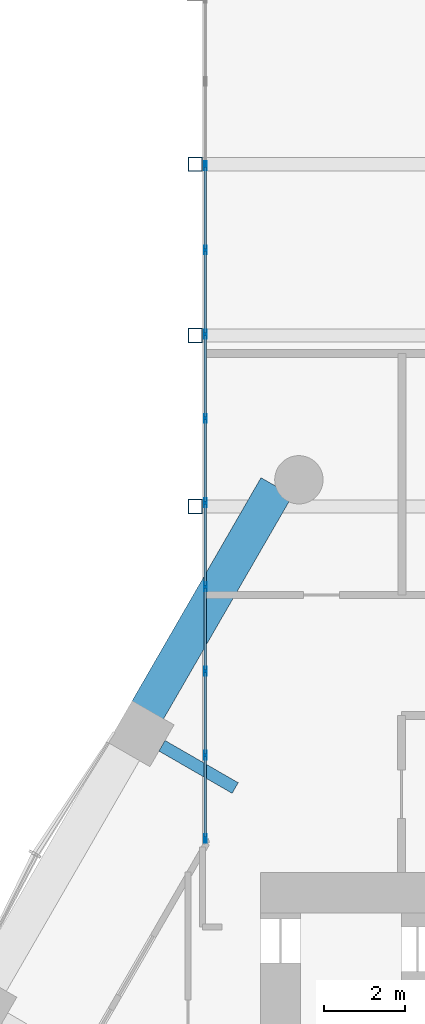
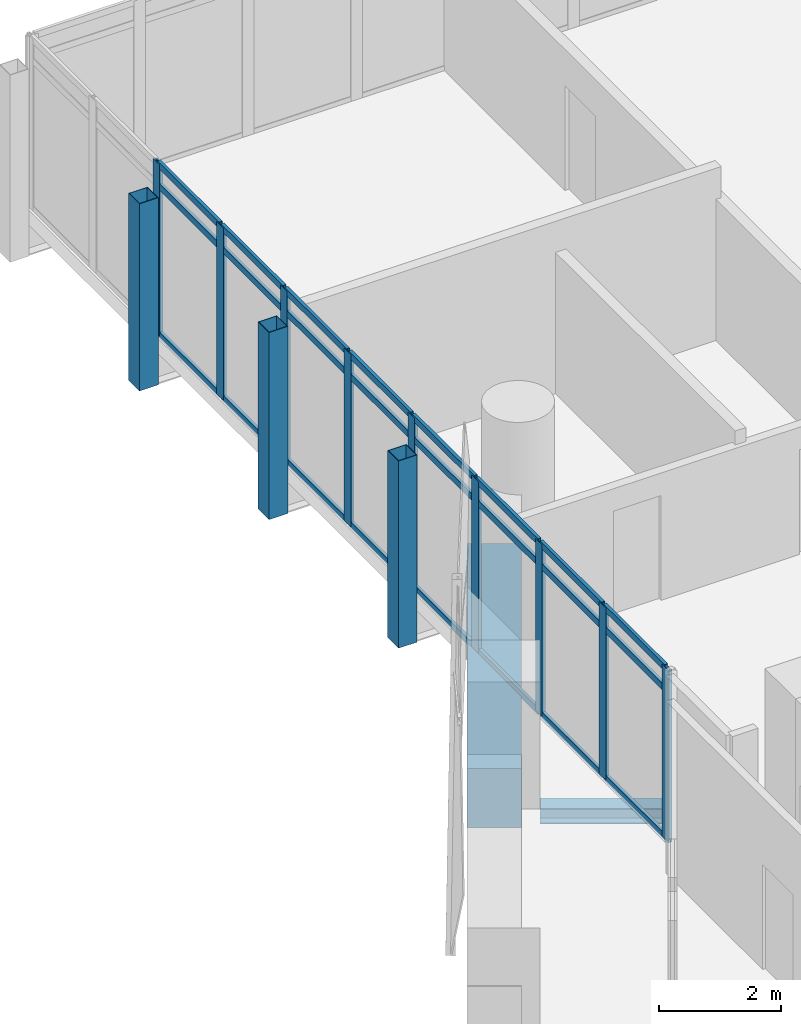
# One storey, part 17 of 38: 36 members, 2 beams, 1 element without a shape of its own.
"""IFC4 building model written with IfcOpenShell, lengths in metres."""

from ifc_helpers import new_model, si_unit, direction, frame, origin, origin_2d, place, context, subcontext, project, spatial, rectangle, hollow_rectangle, i_section, extrude, material, material_profile, profile_set, type_object, element, aggregate, save


model = new_model("IFC4")

# Units and contexts
model_context = context("Model", 3, precision=1e-05, world=origin(), true_north=direction((0.0, 1.0)))
body_context = subcontext(model_context, "Body", "Model", "MODEL_VIEW")
ifc_project = project(units=[si_unit("LENGTHUNIT", "METRE"), si_unit("AREAUNIT", "SQUARE_METRE"), si_unit("VOLUMEUNIT", "CUBIC_METRE"), si_unit("PLANEANGLEUNIT", "RADIAN"), si_unit("MASSUNIT", "GRAM", prefix="KILO")], contexts=[model_context])

# Site, building, storey
site_placement = place(None, origin())
site = spatial("IfcSite", under=ifc_project, at=site_placement, CompositionType="ELEMENT")
building_placement = place(site_placement, origin())
building = spatial("IfcBuilding", under=site, at=building_placement, Name="Ostrander Bayou Hotel Tower", CompositionType="ELEMENT")
storey_placement = place(building_placement, frame((0.0, 0.0, 96.75)))
storey = spatial("IfcBuildingStorey", under=building, at=storey_placement, Name="L24", CompositionType="ELEMENT", Elevation=96.75)

# Curtain wall, members
ifc_material_1 = material(Name="Aluminium and clear glass", Category="aluminium")
curtain_wall_type = type_object("IfcCurtainWallType", Name="CW-BAR glazed wall", PredefinedType="NOTDEFINED", material=ifc_material_1)
curtain_wall_placement = place(storey_placement, origin())
curtain_wall = element("IfcCurtainWall", 1, at=curtain_wall_placement, inside=storey, type_object=curtain_wall_type, Name="CW-BAR L24:SB2N:E", PredefinedType="NOTDEFINED")
ifc_material_2 = material(Name="Aluminium", Category="aluminium")
ifc_material_profile_1 = material_profile(ifc_material_2, hollow_rectangle(XDim=0.06005859375, YDim=0.219970703125, WallThickness=0.00390625, at=origin_2d()))
ifc_profile_set_1 = profile_set([ifc_material_profile_1], Name="Aluminium")
member_type_1 = type_object("IfcMemberType", Name="CW-BR mullion 60 x 220 mm", PredefinedType="MULLION", material=ifc_profile_set_1)
member_1_placement = place(storey_placement, frame((-13.3671875, 10.550048828125, 0.0), z_axis=(0.0, 0.0, 1.0), x_axis=(-1.0, 0.0, 0.0)))
member_1 = element("IfcMember", 2, at=member_1_placement, type_object=member_type_1, Name="CW-BAR mullion 1", PredefinedType="MULLION", context=body_context, shape_type="SweptSolid", body=[
    extrude(hollow_rectangle(XDim=0.06005859375, YDim=0.219970703125, WallThickness=0.00390625, at=origin_2d()), origin(), (0.0, 0.0, 1.0), 3.449951171875),
])
member_2_placement = place(storey_placement, frame((-13.3671875, 12.612548828125, 0.0), z_axis=(0.0, 0.0, 1.0), x_axis=(-1.0, 0.0, 0.0)))
member_2 = element("IfcMember", 3, at=member_2_placement, type_object=member_type_1, Name="CW-BAR mullion 2", PredefinedType="MULLION", context=body_context, shape_type="SweptSolid", body=[
    extrude(hollow_rectangle(XDim=0.06005859375, YDim=0.219970703125, WallThickness=0.00390625, at=origin_2d()), origin(), (0.0, 0.0, 1.0), 3.449951171875),
])
member_3_placement = place(storey_placement, frame((-13.3671875, 14.705078125, 0.0), z_axis=(0.0, 0.0, 1.0), x_axis=(-1.0, 0.0, 0.0)))
member_3 = element("IfcMember", 4, at=member_3_placement, type_object=member_type_1, Name="CW-BAR mullion 3", PredefinedType="MULLION", context=body_context, shape_type="SweptSolid", body=[
    extrude(hollow_rectangle(XDim=0.06005859375, YDim=0.219970703125, WallThickness=0.00390625, at=origin_2d()), origin(), (0.0, 0.0, 1.0), 3.449951171875),
])
member_4_placement = place(storey_placement, frame((-13.3671875, 16.797607421875, 0.0), z_axis=(0.0, 0.0, 1.0), x_axis=(-1.0, 0.0, 0.0)))
member_4 = element("IfcMember", 5, at=member_4_placement, type_object=member_type_1, Name="CW-BAR mullion 4", PredefinedType="MULLION", context=body_context, shape_type="SweptSolid", body=[
    extrude(hollow_rectangle(XDim=0.06005859375, YDim=0.219970703125, WallThickness=0.00390625, at=origin_2d()), origin(), (0.0, 0.0, 1.0), 3.449951171875),
])
member_5_placement = place(storey_placement, frame((-13.3671875, 18.89013671875, 0.0), z_axis=(0.0, 0.0, 1.0), x_axis=(-1.0, 0.0, 0.0)))
member_5 = element("IfcMember", 6, at=member_5_placement, type_object=member_type_1, Name="CW-BAR mullion 5", PredefinedType="MULLION", context=body_context, shape_type="SweptSolid", body=[
    extrude(hollow_rectangle(XDim=0.06005859375, YDim=0.219970703125, WallThickness=0.00390625, at=origin_2d()), origin(), (0.0, 0.0, 1.0), 3.449951171875),
])
member_6_placement = place(storey_placement, frame((-13.3671875, 20.982666015625, 0.0), z_axis=(0.0, 0.0, 1.0), x_axis=(-1.0, 0.0, 0.0)))
member_6 = element("IfcMember", 7, at=member_6_placement, type_object=member_type_1, Name="CW-BAR mullion 6", PredefinedType="MULLION", context=body_context, shape_type="SweptSolid", body=[
    extrude(hollow_rectangle(XDim=0.06005859375, YDim=0.219970703125, WallThickness=0.00390625, at=origin_2d()), origin(), (0.0, 0.0, 1.0), 3.449951171875),
])
member_7_placement = place(storey_placement, frame((-13.3671875, 23.0751953125, 0.0), z_axis=(0.0, 0.0, 1.0), x_axis=(-1.0, 0.0, 0.0)))
member_7 = element("IfcMember", 8, at=member_7_placement, type_object=member_type_1, Name="CW-BAR mullion 7", PredefinedType="MULLION", context=body_context, shape_type="SweptSolid", body=[
    extrude(hollow_rectangle(XDim=0.06005859375, YDim=0.219970703125, WallThickness=0.00390625, at=origin_2d()), origin(), (0.0, 0.0, 1.0), 3.449951171875),
])
member_8_placement = place(storey_placement, frame((-13.3671875, 25.167724609375, 0.0), z_axis=(0.0, 0.0, 1.0), x_axis=(-1.0, 0.0, 0.0)))
member_8 = element("IfcMember", 9, at=member_8_placement, type_object=member_type_1, Name="CW-BAR mullion 8", PredefinedType="MULLION", context=body_context, shape_type="SweptSolid", body=[
    extrude(hollow_rectangle(XDim=0.06005859375, YDim=0.219970703125, WallThickness=0.00390625, at=origin_2d()), origin(), (0.0, 0.0, 1.0), 3.449951171875),
])
member_9_placement = place(storey_placement, frame((-13.3671875, 27.26025390625, 0.0), z_axis=(0.0, 0.0, 1.0), x_axis=(-1.0, 0.0, 0.0)))
member_9 = element("IfcMember", 10, at=member_9_placement, type_object=member_type_1, Name="CW-BAR mullion 9", PredefinedType="MULLION", context=body_context, shape_type="SweptSolid", body=[
    extrude(hollow_rectangle(XDim=0.06005859375, YDim=0.219970703125, WallThickness=0.00390625, at=origin_2d()), origin(), (0.0, 0.0, 1.0), 3.449951171875),
])
ifc_material_3 = material(Name="Aluminium", Category="aluminium")
ifc_material_profile_2 = material_profile(ifc_material_3, hollow_rectangle(XDim=0.06005859375, YDim=0.1298828125, WallThickness=0.00390625, at=origin_2d()))
ifc_profile_set_2 = profile_set([ifc_material_profile_2], Name="Aluminium")
member_type_2 = type_object("IfcMemberType", Name="CW-BR transom 60 x 130 mm", PredefinedType="USERDEFINED", material=ifc_profile_set_2)
member_10_placement = place(storey_placement, frame((-13.3671875, 10.580078125, 0.030029296875), z_axis=(0.0, 1.0, 0.0), x_axis=(-1.0, 0.0, 0.0)))
member_10 = element("IfcMember", 11, at=member_10_placement, type_object=member_type_2, Name="CW-BAR transom 1.1", ObjectType="TRANSOM", PredefinedType="USERDEFINED", context=body_context, shape_type="SweptSolid", body=[
    extrude(hollow_rectangle(XDim=0.06005859375, YDim=0.1298828125, WallThickness=0.00390625, at=origin_2d()), origin(), (0.0, 0.0, 1.0), 2.00244140625),
])
member_11_placement = place(storey_placement, frame((-13.3671875, 10.580078125, 3.0), z_axis=(0.0, 1.0, 0.0), x_axis=(-1.0, 0.0, 0.0)))
member_11 = element("IfcMember", 12, at=member_11_placement, type_object=member_type_2, Name="CW-BAR transom 1.2", ObjectType="TRANSOM", PredefinedType="USERDEFINED", context=body_context, shape_type="SweptSolid", body=[
    extrude(hollow_rectangle(XDim=0.06005859375, YDim=0.1298828125, WallThickness=0.00390625, at=origin_2d()), origin(), (0.0, 0.0, 1.0), 2.00244140625),
])
member_12_placement = place(storey_placement, frame((-13.3671875, 10.580078125, 3.419921875), z_axis=(0.0, 1.0, 0.0), x_axis=(-1.0, 0.0, 0.0)))
member_12 = element("IfcMember", 13, at=member_12_placement, type_object=member_type_2, Name="CW-BAR transom 1.3", ObjectType="TRANSOM", PredefinedType="USERDEFINED", context=body_context, shape_type="SweptSolid", body=[
    extrude(hollow_rectangle(XDim=0.06005859375, YDim=0.1298828125, WallThickness=0.00390625, at=origin_2d()), origin(), (0.0, 0.0, 1.0), 2.00244140625),
])
member_13_placement = place(storey_placement, frame((-13.3671875, 12.642578125, 0.030029296875), z_axis=(0.0, 1.0, 0.0), x_axis=(-1.0, 0.0, 0.0)))
member_13 = element("IfcMember", 14, at=member_13_placement, type_object=member_type_2, Name="CW-BAR transom 2.1", ObjectType="TRANSOM", PredefinedType="USERDEFINED", context=body_context, shape_type="SweptSolid", body=[
    extrude(hollow_rectangle(XDim=0.06005859375, YDim=0.1298828125, WallThickness=0.00390625, at=origin_2d()), origin(), (0.0, 0.0, 1.0), 2.032470703125),
])
member_14_placement = place(storey_placement, frame((-13.3671875, 12.642578125, 3.0), z_axis=(0.0, 1.0, 0.0), x_axis=(-1.0, 0.0, 0.0)))
member_14 = element("IfcMember", 15, at=member_14_placement, type_object=member_type_2, Name="CW-BAR transom 2.2", ObjectType="TRANSOM", PredefinedType="USERDEFINED", context=body_context, shape_type="SweptSolid", body=[
    extrude(hollow_rectangle(XDim=0.06005859375, YDim=0.1298828125, WallThickness=0.00390625, at=origin_2d()), origin(), (0.0, 0.0, 1.0), 2.032470703125),
])
member_15_placement = place(storey_placement, frame((-13.3671875, 12.642578125, 3.419921875), z_axis=(0.0, 1.0, 0.0), x_axis=(-1.0, 0.0, 0.0)))
member_15 = element("IfcMember", 16, at=member_15_placement, type_object=member_type_2, Name="CW-BAR transom 2.3", ObjectType="TRANSOM", PredefinedType="USERDEFINED", context=body_context, shape_type="SweptSolid", body=[
    extrude(hollow_rectangle(XDim=0.06005859375, YDim=0.1298828125, WallThickness=0.00390625, at=origin_2d()), origin(), (0.0, 0.0, 1.0), 2.032470703125),
])
member_16_placement = place(storey_placement, frame((-13.3671875, 14.735107421875, 0.030029296875), z_axis=(0.0, 1.0, 0.0), x_axis=(-1.0, 0.0, 0.0)))
member_16 = element("IfcMember", 17, at=member_16_placement, type_object=member_type_2, Name="CW-BAR transom 3.1", ObjectType="TRANSOM", PredefinedType="USERDEFINED", context=body_context, shape_type="SweptSolid", body=[
    extrude(hollow_rectangle(XDim=0.06005859375, YDim=0.1298828125, WallThickness=0.00390625, at=origin_2d()), origin(), (0.0, 0.0, 1.0), 2.032470703125),
])
member_17_placement = place(storey_placement, frame((-13.3671875, 14.735107421875, 3.0), z_axis=(0.0, 1.0, 0.0), x_axis=(-1.0, 0.0, 0.0)))
member_17 = element("IfcMember", 18, at=member_17_placement, type_object=member_type_2, Name="CW-BAR transom 3.2", ObjectType="TRANSOM", PredefinedType="USERDEFINED", context=body_context, shape_type="SweptSolid", body=[
    extrude(hollow_rectangle(XDim=0.06005859375, YDim=0.1298828125, WallThickness=0.00390625, at=origin_2d()), origin(), (0.0, 0.0, 1.0), 2.032470703125),
])
member_18_placement = place(storey_placement, frame((-13.3671875, 14.735107421875, 3.419921875), z_axis=(0.0, 1.0, 0.0), x_axis=(-1.0, 0.0, 0.0)))
member_18 = element("IfcMember", 19, at=member_18_placement, type_object=member_type_2, Name="CW-BAR transom 3.3", ObjectType="TRANSOM", PredefinedType="USERDEFINED", context=body_context, shape_type="SweptSolid", body=[
    extrude(hollow_rectangle(XDim=0.06005859375, YDim=0.1298828125, WallThickness=0.00390625, at=origin_2d()), origin(), (0.0, 0.0, 1.0), 2.032470703125),
])
member_19_placement = place(storey_placement, frame((-13.3671875, 16.82763671875, 0.030029296875), z_axis=(0.0, 1.0, 0.0), x_axis=(-1.0, 0.0, 0.0)))
member_19 = element("IfcMember", 20, at=member_19_placement, type_object=member_type_2, Name="CW-BAR transom 4.1", ObjectType="TRANSOM", PredefinedType="USERDEFINED", context=body_context, shape_type="SweptSolid", body=[
    extrude(hollow_rectangle(XDim=0.06005859375, YDim=0.1298828125, WallThickness=0.00390625, at=origin_2d()), origin(), (0.0, 0.0, 1.0), 2.032470703125),
])
member_20_placement = place(storey_placement, frame((-13.3671875, 16.82763671875, 3.0), z_axis=(0.0, 1.0, 0.0), x_axis=(-1.0, 0.0, 0.0)))
member_20 = element("IfcMember", 21, at=member_20_placement, type_object=member_type_2, Name="CW-BAR transom 4.2", ObjectType="TRANSOM", PredefinedType="USERDEFINED", context=body_context, shape_type="SweptSolid", body=[
    extrude(hollow_rectangle(XDim=0.06005859375, YDim=0.1298828125, WallThickness=0.00390625, at=origin_2d()), origin(), (0.0, 0.0, 1.0), 2.032470703125),
])
member_21_placement = place(storey_placement, frame((-13.3671875, 16.82763671875, 3.419921875), z_axis=(0.0, 1.0, 0.0), x_axis=(-1.0, 0.0, 0.0)))
member_21 = element("IfcMember", 22, at=member_21_placement, type_object=member_type_2, Name="CW-BAR transom 4.3", ObjectType="TRANSOM", PredefinedType="USERDEFINED", context=body_context, shape_type="SweptSolid", body=[
    extrude(hollow_rectangle(XDim=0.06005859375, YDim=0.1298828125, WallThickness=0.00390625, at=origin_2d()), origin(), (0.0, 0.0, 1.0), 2.032470703125),
])
member_22_placement = place(storey_placement, frame((-13.3671875, 18.920166015625, 0.030029296875), z_axis=(0.0, 1.0, 0.0), x_axis=(-1.0, 0.0, 0.0)))
member_22 = element("IfcMember", 23, at=member_22_placement, type_object=member_type_2, Name="CW-BAR transom 5.1", ObjectType="TRANSOM", PredefinedType="USERDEFINED", context=body_context, shape_type="SweptSolid", body=[
    extrude(hollow_rectangle(XDim=0.06005859375, YDim=0.1298828125, WallThickness=0.00390625, at=origin_2d()), origin(), (0.0, 0.0, 1.0), 2.032470703125),
])
member_23_placement = place(storey_placement, frame((-13.3671875, 18.920166015625, 3.0), z_axis=(0.0, 1.0, 0.0), x_axis=(-1.0, 0.0, 0.0)))
member_23 = element("IfcMember", 24, at=member_23_placement, type_object=member_type_2, Name="CW-BAR transom 5.2", ObjectType="TRANSOM", PredefinedType="USERDEFINED", context=body_context, shape_type="SweptSolid", body=[
    extrude(hollow_rectangle(XDim=0.06005859375, YDim=0.1298828125, WallThickness=0.00390625, at=origin_2d()), origin(), (0.0, 0.0, 1.0), 2.032470703125),
])
member_24_placement = place(storey_placement, frame((-13.3671875, 18.920166015625, 3.419921875), z_axis=(0.0, 1.0, 0.0), x_axis=(-1.0, 0.0, 0.0)))
member_24 = element("IfcMember", 25, at=member_24_placement, type_object=member_type_2, Name="CW-BAR transom 5.3", ObjectType="TRANSOM", PredefinedType="USERDEFINED", context=body_context, shape_type="SweptSolid", body=[
    extrude(hollow_rectangle(XDim=0.06005859375, YDim=0.1298828125, WallThickness=0.00390625, at=origin_2d()), origin(), (0.0, 0.0, 1.0), 2.032470703125),
])
member_25_placement = place(storey_placement, frame((-13.3671875, 21.0126953125, 0.030029296875), z_axis=(0.0, 1.0, 0.0), x_axis=(-1.0, 0.0, 0.0)))
member_25 = element("IfcMember", 26, at=member_25_placement, type_object=member_type_2, Name="CW-BAR transom 6.1", ObjectType="TRANSOM", PredefinedType="USERDEFINED", context=body_context, shape_type="SweptSolid", body=[
    extrude(hollow_rectangle(XDim=0.06005859375, YDim=0.1298828125, WallThickness=0.00390625, at=origin_2d()), origin(), (0.0, 0.0, 1.0), 2.032470703125),
])
member_26_placement = place(storey_placement, frame((-13.3671875, 21.0126953125, 3.0), z_axis=(0.0, 1.0, 0.0), x_axis=(-1.0, 0.0, 0.0)))
member_26 = element("IfcMember", 27, at=member_26_placement, type_object=member_type_2, Name="CW-BAR transom 6.2", ObjectType="TRANSOM", PredefinedType="USERDEFINED", context=body_context, shape_type="SweptSolid", body=[
    extrude(hollow_rectangle(XDim=0.06005859375, YDim=0.1298828125, WallThickness=0.00390625, at=origin_2d()), origin(), (0.0, 0.0, 1.0), 2.032470703125),
])
member_27_placement = place(storey_placement, frame((-13.3671875, 21.0126953125, 3.419921875), z_axis=(0.0, 1.0, 0.0), x_axis=(-1.0, 0.0, 0.0)))
member_27 = element("IfcMember", 28, at=member_27_placement, type_object=member_type_2, Name="CW-BAR transom 6.3", ObjectType="TRANSOM", PredefinedType="USERDEFINED", context=body_context, shape_type="SweptSolid", body=[
    extrude(hollow_rectangle(XDim=0.06005859375, YDim=0.1298828125, WallThickness=0.00390625, at=origin_2d()), origin(), (0.0, 0.0, 1.0), 2.032470703125),
])
member_28_placement = place(storey_placement, frame((-13.3671875, 23.105224609375, 0.030029296875), z_axis=(0.0, 1.0, 0.0), x_axis=(-1.0, 0.0, 0.0)))
member_28 = element("IfcMember", 29, at=member_28_placement, type_object=member_type_2, Name="CW-BAR transom 7.1", ObjectType="TRANSOM", PredefinedType="USERDEFINED", context=body_context, shape_type="SweptSolid", body=[
    extrude(hollow_rectangle(XDim=0.06005859375, YDim=0.1298828125, WallThickness=0.00390625, at=origin_2d()), origin(), (0.0, 0.0, 1.0), 2.032470703125),
])
member_29_placement = place(storey_placement, frame((-13.3671875, 23.105224609375, 3.0), z_axis=(0.0, 1.0, 0.0), x_axis=(-1.0, 0.0, 0.0)))
member_29 = element("IfcMember", 30, at=member_29_placement, type_object=member_type_2, Name="CW-BAR transom 7.2", ObjectType="TRANSOM", PredefinedType="USERDEFINED", context=body_context, shape_type="SweptSolid", body=[
    extrude(hollow_rectangle(XDim=0.06005859375, YDim=0.1298828125, WallThickness=0.00390625, at=origin_2d()), origin(), (0.0, 0.0, 1.0), 2.032470703125),
])
member_30_placement = place(storey_placement, frame((-13.3671875, 23.105224609375, 3.419921875), z_axis=(0.0, 1.0, 0.0), x_axis=(-1.0, 0.0, 0.0)))
member_30 = element("IfcMember", 31, at=member_30_placement, type_object=member_type_2, Name="CW-BAR transom 7.3", ObjectType="TRANSOM", PredefinedType="USERDEFINED", context=body_context, shape_type="SweptSolid", body=[
    extrude(hollow_rectangle(XDim=0.06005859375, YDim=0.1298828125, WallThickness=0.00390625, at=origin_2d()), origin(), (0.0, 0.0, 1.0), 2.032470703125),
])
member_31_placement = place(storey_placement, frame((-13.3671875, 25.19775390625, 0.030029296875), z_axis=(0.0, 1.0, 0.0), x_axis=(-1.0, 0.0, 0.0)))
member_31 = element("IfcMember", 32, at=member_31_placement, type_object=member_type_2, Name="CW-BAR transom 8.1", ObjectType="TRANSOM", PredefinedType="USERDEFINED", context=body_context, shape_type="SweptSolid", body=[
    extrude(hollow_rectangle(XDim=0.06005859375, YDim=0.1298828125, WallThickness=0.00390625, at=origin_2d()), origin(), (0.0, 0.0, 1.0), 2.032470703125),
])
member_32_placement = place(storey_placement, frame((-13.3671875, 25.19775390625, 3.0), z_axis=(0.0, 1.0, 0.0), x_axis=(-1.0, 0.0, 0.0)))
member_32 = element("IfcMember", 33, at=member_32_placement, type_object=member_type_2, Name="CW-BAR transom 8.2", ObjectType="TRANSOM", PredefinedType="USERDEFINED", context=body_context, shape_type="SweptSolid", body=[
    extrude(hollow_rectangle(XDim=0.06005859375, YDim=0.1298828125, WallThickness=0.00390625, at=origin_2d()), origin(), (0.0, 0.0, 1.0), 2.032470703125),
])
member_33_placement = place(storey_placement, frame((-13.3671875, 25.19775390625, 3.419921875), z_axis=(0.0, 1.0, 0.0), x_axis=(-1.0, 0.0, 0.0)))
member_33 = element("IfcMember", 34, at=member_33_placement, type_object=member_type_2, Name="CW-BAR transom 8.3", ObjectType="TRANSOM", PredefinedType="USERDEFINED", context=body_context, shape_type="SweptSolid", body=[
    extrude(hollow_rectangle(XDim=0.06005859375, YDim=0.1298828125, WallThickness=0.00390625, at=origin_2d()), origin(), (0.0, 0.0, 1.0), 2.032470703125),
])
aggregate(curtain_wall, [member_1, member_2, member_3, member_4, member_5, member_6, member_7, member_8, member_9, member_10, member_11, member_12, member_13, member_14, member_15, member_16, member_17, member_18, member_19, member_20, member_21, member_22, member_23, member_24, member_25, member_26, member_27, member_28, member_29, member_30, member_31, member_32, member_33])

# Beams
ifc_material_4 = material(Name="Steel ASTM A992", Category="steel")
ifc_material_profile_3 = material_profile(ifc_material_4, i_section(OverallWidth=0.3046875, OverallDepth=0.307861328125, WebThickness=0.010009765625, FlangeThickness=0.015380859375, at=origin_2d()))
ifc_profile_set_3 = profile_set([ifc_material_profile_3], Name="Steel ASTM A992")
beam_type_1 = type_object("IfcBeamType", Name="LB1 loggia bracket W12x65", PredefinedType="BEAM", material=ifc_profile_set_3)
beam_1_placement = place(storey_placement, frame((-14.446044921875, 12.8515625, -0.453857421875), z_axis=(0.866038466041, -0.499977374825, 0.0), x_axis=(0.499977374825, 0.866038466041, 0.0)))
element("IfcBeam", 35, at=beam_1_placement, inside=storey, type_object=beam_type_1, Name="LB1 L24 NW1", PredefinedType="BEAM", context=body_context, shape_type="SweptSolid", body=[
    extrude(i_section(OverallWidth=0.3046875, OverallDepth=0.307861328125, WebThickness=0.010009765625, FlangeThickness=0.015380859375, at=origin_2d()), origin(), (0.0, 0.0, 1.0), 2.10009765625),
])
ifc_material_5 = material(Name="Concrete f'c 70 MPa", Category="concrete")
ifc_material_profile_4 = material_profile(ifc_material_5, rectangle(XDim=0.89990234375, YDim=1.199951171875, at=origin_2d()))
ifc_profile_set_4 = profile_set([ifc_material_profile_4], Name="Concrete f'c 70 MPa")
beam_type_2 = type_object("IfcBeamType", Name="SP2 spandrel beam 900 x 1200 mm f'c 70 MPa", PredefinedType="SPANDREL", material=ifc_profile_set_4)
beam_2_placement = place(storey_placement, frame((-11.5966796875, 19.286376953125, -0.60009765625), z_axis=(-0.50002823779, -0.866009100075, 0.0), x_axis=(0.866009100075, -0.50002823779, 0.0)))
element("IfcBeam", 36, at=beam_2_placement, inside=storey, type_object=beam_type_2, Name="SP2 L24 NW-1", PredefinedType="SPANDREL", context=body_context, shape_type="SweptSolid", body=[
    extrude(rectangle(XDim=0.89990234375, YDim=1.199951171875, at=origin_2d()), origin(), (0.0, 0.0, 1.0), 6.427490234375),
])

# Members
ifc_material_6 = material(Name="Steel ASTM A500 Gr C", Category="steel")
ifc_material_profile_5 = material_profile(ifc_material_6, hollow_rectangle(XDim=0.355712890625, YDim=0.355712890625, WallThickness=0.01171875, at=origin_2d()))
ifc_profile_set_5 = profile_set([ifc_material_profile_5], Name="Steel ASTM A500 Gr C")
member_type_3 = type_object("IfcMemberType", Name="TH2 bar hanger HSS14x14x1/2", PredefinedType="POST", material=ifc_profile_set_5)
for number, where, z_axis, x_axis, name in (
    (37, (-13.6201171875, 27.295654296875, -0.921875), (0.0, 0.0, 1.0), (1.0, 0.0, 0.0), "TH2 SB2WA H2-2"),
    (38, (-13.6201171875, 23.0458984375, -0.921875), (0.0, 0.0, 1.0), (1.0, 0.0, 0.0), "TH2 SB2WA H3-2"),
    (39, (-13.6201171875, 18.79638671875, -0.921875), (0.0, 0.0, 1.0), (1.0, 0.0, 0.0), "TH2 SB2WA H4-2"),
):
    element("IfcMember", number, at=place(storey_placement, frame(where, z_axis=z_axis, x_axis=x_axis)), inside=storey, type_object=member_type_3, Name=name, PredefinedType="POST", context=body_context, shape_type="SweptSolid", body=[
        extrude(hollow_rectangle(XDim=0.355712890625, YDim=0.355712890625, WallThickness=0.01171875, at=origin_2d()), origin(), (0.0, 0.0, 1.0), 3.75),
    ])

save(model, "model.ifc")
